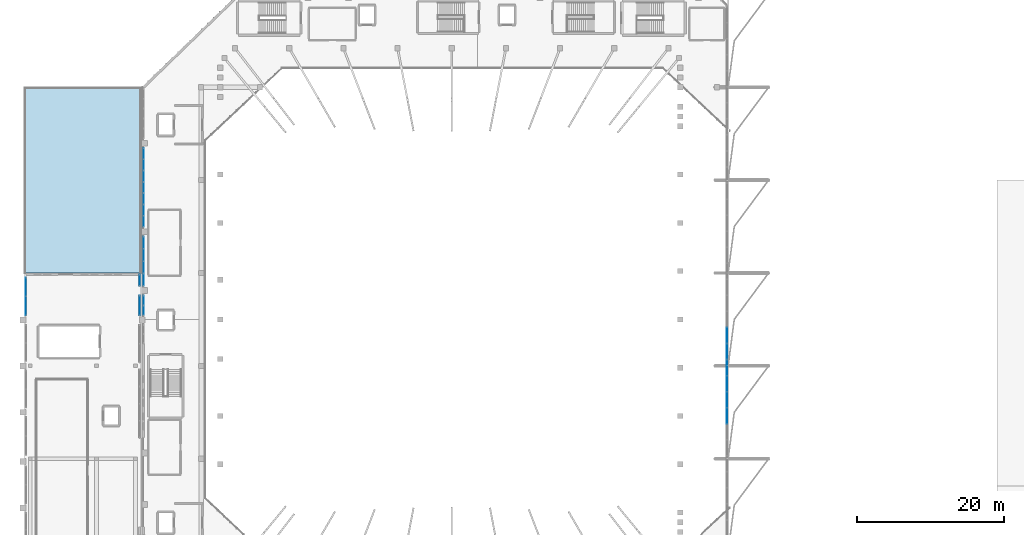
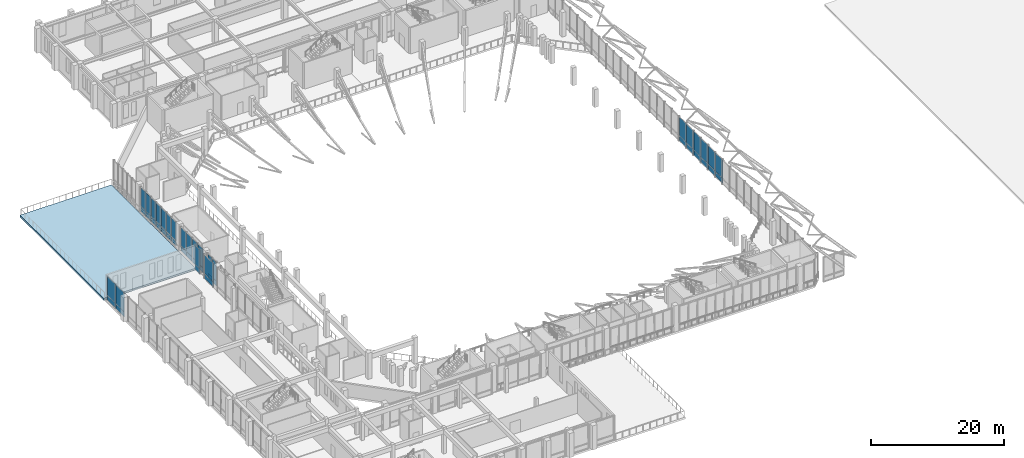
# One storey, part 46 of 79: 46 plates, 1 slab, 7 elements without a shape of their own.
"""IFC4 building model written with IfcOpenShell, lengths in metres."""

from ifc_helpers import new_model, si_unit, derived_unit, direction, frame, origin, origin_2d, place, context, subcontext, project, spatial, polyline, rectangle, outline, extrude, material, layer, layer_set, type_object, element, aggregate, save


model = new_model("IFC4")

# Units and contexts
model_context = context("Model", 3, precision=1e-05, world=origin(), true_north=direction((0.0, 1.0)))
body_context = subcontext(model_context, "Body", "Model", "MODEL_VIEW")
ifc_project = project(units=[si_unit("LENGTHUNIT", "METRE"), si_unit("AREAUNIT", "SQUARE_METRE"), si_unit("VOLUMEUNIT", "CUBIC_METRE"), si_unit("PLANEANGLEUNIT", "RADIAN"), si_unit("MASSUNIT", "GRAM", prefix="KILO"), derived_unit("THERMALTRANSMITTANCEUNIT", [(si_unit("MASSUNIT", "GRAM", prefix="KILO"), 1), (si_unit("TIMEUNIT", "SECOND"), -3), (si_unit("THERMODYNAMICTEMPERATUREUNIT", "KELVIN"), -1)])], contexts=[model_context])

# Site, building, storey
site_placement = place(None, origin())
site = spatial("IfcSite", under=ifc_project, at=site_placement, CompositionType="ELEMENT")
building_placement = place(site_placement, origin())
building = spatial("IfcBuilding", under=site, at=building_placement, Name="Valcora Ridge Arena", CompositionType="ELEMENT")
storey_placement = place(building_placement, frame((0.0, 0.0, 16.199951171875)))
storey = spatial("IfcBuildingStorey", under=building, at=storey_placement, Name="L03", CompositionType="ELEMENT", Elevation=16.199951171875)

# Curtain wall, plates
ifc_material_1 = material(Name="Anodised dark bronze architectural aluminium 6063-T6", Category="aluminium")
ifc_layer_1 = layer(ifc_material_1, 0.179931640625, Name="Anodised dark bronze architectural aluminium 6063-T6")
ifc_layer_set_1 = layer_set([ifc_layer_1], Name="Anodised dark bronze architectural aluminium 6063-T6")
curtain_wall_type_1 = type_object("IfcCurtainWallType", Name="TY-CURTAINWALL-CW-V1-GOTH-027X44", PredefinedType="NOTDEFINED", material=ifc_layer_set_1)
curtain_wall_1_placement = place(storey_placement, origin())
curtain_wall_1 = element("IfcCurtainWall", 1, at=curtain_wall_1_placement, inside=storey, type_object=curtain_wall_type_1, Name="CW-V1-GOTH-027X44 CW-0132", PredefinedType="NOTDEFINED")
ifc_material_2 = material(Name="Low-iron solar-control double glazing SHGC 0.28", Category="glass")
ifc_layer_2 = layer(ifc_material_2, 0.031982421875, Name="Low-iron solar-control double glazing SHGC 0.28")
ifc_layer_set_2 = layer_set([ifc_layer_2], Name="Low-iron solar-control double glazing SHGC 0.28")
plate_type_1 = type_object("IfcPlateType", Name="TY-PLT-CWP-1270X0860", PredefinedType="CURTAIN_PANEL", material=ifc_layer_set_2)
plate_1_placement = place(storey_placement, frame((16.199951171875, 65.3349609375, 0.06005859375), z_axis=(0.0, 0.0, 1.0), x_axis=(0.0, 1.0, 0.0)))
plate_1 = element("IfcPlate", 2, at=plate_1_placement, type_object=plate_type_1, Name="CW-0132/P00-00", PredefinedType="CURTAIN_PANEL", context=body_context, shape_type="SweptSolid", body=[
    extrude(rectangle(XDim=1.27001953125, YDim=0.031982421875, at=origin_2d()), origin(), (0.0, 0.0, 1.0), 0.860107421875),
])
plate_2_placement = place(storey_placement, frame((16.199951171875, 66.6650390625, 0.06005859375), z_axis=(0.0, 0.0, 1.0), x_axis=(0.0, 1.0, 0.0)))
plate_2 = element("IfcPlate", 3, at=plate_2_placement, type_object=plate_type_1, Name="CW-0132/P01-00", PredefinedType="CURTAIN_PANEL", context=body_context, shape_type="SweptSolid", body=[
    extrude(rectangle(XDim=1.27001953125, YDim=0.031982421875, at=origin_2d()), origin(), (0.0, 0.0, 1.0), 0.860107421875),
])
ifc_layer_3 = layer(ifc_material_2, 0.031982421875, Name="Low-iron solar-control double glazing SHGC 0.28")
ifc_layer_set_3 = layer_set([ifc_layer_3], Name="Low-iron solar-control double glazing SHGC 0.28")
plate_type_2 = type_object("IfcPlateType", Name="TY-PLT-CWP-1270X3400", PredefinedType="CURTAIN_PANEL", material=ifc_layer_set_3)
plate_3_placement = place(storey_placement, frame((16.199951171875, 65.3349609375, 0.97998046875), z_axis=(0.0, 0.0, 1.0), x_axis=(0.0, 1.0, 0.0)))
plate_3 = element("IfcPlate", 4, at=plate_3_placement, type_object=plate_type_2, Name="CW-0132/P00-01", PredefinedType="CURTAIN_PANEL", context=body_context, shape_type="SweptSolid", body=[
    extrude(rectangle(XDim=1.27001953125, YDim=0.031982421875, at=origin_2d()), origin(), (0.0, 0.0, 1.0), 3.39990234375),
])
plate_4_placement = place(storey_placement, frame((16.199951171875, 66.6650390625, 0.97998046875), z_axis=(0.0, 0.0, 1.0), x_axis=(0.0, 1.0, 0.0)))
plate_4 = element("IfcPlate", 5, at=plate_4_placement, type_object=plate_type_2, Name="CW-0132/P01-01", PredefinedType="CURTAIN_PANEL", context=body_context, shape_type="SweptSolid", body=[
    extrude(rectangle(XDim=1.27001953125, YDim=0.031982421875, at=origin_2d()), origin(), (0.0, 0.0, 1.0), 3.39990234375),
])
aggregate(curtain_wall_1, [plate_1, plate_3, plate_2, plate_4])

ifc_layer_4 = layer(ifc_material_1, 0.14990234375, Name="Anodised dark bronze architectural aluminium 6063-T6")
ifc_layer_set_4 = layer_set([ifc_layer_4], Name="Anodised dark bronze architectural aluminium 6063-T6")
curtain_wall_type_2 = type_object("IfcCurtainWallType", Name="TY-CURTAINWALL-CW-V4-CLUB-015X44", PredefinedType="NOTDEFINED", material=ifc_layer_set_4)
curtain_wall_2_placement = place(storey_placement, origin())
curtain_wall_2 = element("IfcCurtainWall", 6, at=curtain_wall_2_placement, inside=storey, type_object=curtain_wall_type_2, Name="CW-V4-CLUB-015X44 CW-0296", PredefinedType="NOTDEFINED")
ifc_layer_5 = layer(ifc_material_2, 0.028076171875, Name="Low-iron solar-control double glazing SHGC 0.28")
ifc_layer_set_5 = layer_set([ifc_layer_5], Name="Low-iron solar-control double glazing SHGC 0.28")
plate_type_3 = type_object("IfcPlateType", Name="TY-PLT-CWP-1440X0875", PredefinedType="CURTAIN_PANEL", material=ifc_layer_set_5)
plate_5_placement = place(storey_placement, frame((15.64990234375, 69.409912109375, 0.050048828125), z_axis=(0.0, 0.0, 1.0), x_axis=(0.0, 1.0, 0.0)))
plate_5 = element("IfcPlate", 7, at=plate_5_placement, type_object=plate_type_3, Name="CW-0296/P00-00", PredefinedType="CURTAIN_PANEL", context=body_context, shape_type="SweptSolid", body=[
    extrude(rectangle(XDim=1.43994140625, YDim=0.028076171875, at=origin_2d()), origin(), (0.0, 0.0, 1.0), 0.875),
])
ifc_layer_6 = layer(ifc_material_2, 0.028076171875, Name="Low-iron solar-control double glazing SHGC 0.28")
ifc_layer_set_6 = layer_set([ifc_layer_6], Name="Low-iron solar-control double glazing SHGC 0.28")
plate_type_4 = type_object("IfcPlateType", Name="TY-PLT-CWP-1440X3415", PredefinedType="CURTAIN_PANEL", material=ifc_layer_set_6)
plate_6_placement = place(storey_placement, frame((15.64990234375, 69.409912109375, 0.97509765625), z_axis=(0.0, 0.0, 1.0), x_axis=(0.0, 1.0, 0.0)))
plate_6 = element("IfcPlate", 8, at=plate_6_placement, type_object=plate_type_4, Name="CW-0296/P00-01", PredefinedType="CURTAIN_PANEL", context=body_context, shape_type="SweptSolid", body=[
    extrude(rectangle(XDim=1.43994140625, YDim=0.028076171875, at=origin_2d()), origin(), (0.0, 0.0, 1.0), 3.4150390625),
])
aggregate(curtain_wall_2, [plate_5, plate_6])

ifc_layer_7 = layer(ifc_material_1, 0.179931640625, Name="Anodised dark bronze architectural aluminium 6063-T6")
ifc_layer_set_7 = layer_set([ifc_layer_7], Name="Anodised dark bronze architectural aluminium 6063-T6")
curtain_wall_type_3 = type_object("IfcCurtainWallType", Name="TY-CURTAINWALL-CW-V1-GOTH-107X44", PredefinedType="NOTDEFINED", material=ifc_layer_set_7)
curtain_wall_3_placement = place(storey_placement, origin())
curtain_wall_3 = element("IfcCurtainWall", 9, at=curtain_wall_3_placement, inside=storey, type_object=curtain_wall_type_3, Name="CW-V1-GOTH-107X44 CW-0134", PredefinedType="NOTDEFINED")
ifc_layer_8 = layer(ifc_material_2, 0.031982421875, Name="Low-iron solar-control double glazing SHGC 0.28")
ifc_layer_set_8 = layer_set([ifc_layer_8], Name="Low-iron solar-control double glazing SHGC 0.28")
plate_type_5 = type_object("IfcPlateType", Name="TY-PLT-CWP-1441X0860", PredefinedType="CURTAIN_PANEL", material=ifc_layer_set_8)
plate_7_placement = place(storey_placement, frame((16.199951171875, 77.42041015625, 0.06005859375), z_axis=(0.0, 0.0, 1.0), x_axis=(0.0, 1.0, 0.0)))
plate_7 = element("IfcPlate", 10, at=plate_7_placement, type_object=plate_type_5, Name="CW-0134/P00-00", PredefinedType="CURTAIN_PANEL", context=body_context, shape_type="SweptSolid", body=[
    extrude(rectangle(XDim=1.44091796875, YDim=0.031982421875, at=origin_2d()), origin(), (0.0, 0.0, 1.0), 0.860107421875),
])
plate_8_placement = place(storey_placement, frame((16.199951171875, 86.57958984375, 0.06005859375), z_axis=(0.0, 0.0, 1.0), x_axis=(0.0, 1.0, 0.0)))
plate_8 = element("IfcPlate", 11, at=plate_8_placement, type_object=plate_type_5, Name="CW-0134/P06-00", PredefinedType="CURTAIN_PANEL", context=body_context, shape_type="SweptSolid", body=[
    extrude(rectangle(XDim=1.44091796875, YDim=0.031982421875, at=origin_2d()), origin(), (0.0, 0.0, 1.0), 0.860107421875),
])
ifc_layer_9 = layer(ifc_material_2, 0.031982421875, Name="Low-iron solar-control double glazing SHGC 0.28")
ifc_layer_set_9 = layer_set([ifc_layer_9], Name="Low-iron solar-control double glazing SHGC 0.28")
plate_type_6 = type_object("IfcPlateType", Name="TY-PLT-CWP-1441X3400", PredefinedType="CURTAIN_PANEL", material=ifc_layer_set_9)
plate_9_placement = place(storey_placement, frame((16.199951171875, 77.42041015625, 0.97998046875), z_axis=(0.0, 0.0, 1.0), x_axis=(0.0, 1.0, 0.0)))
plate_9 = element("IfcPlate", 12, at=plate_9_placement, type_object=plate_type_6, Name="CW-0134/P00-01", PredefinedType="CURTAIN_PANEL", context=body_context, shape_type="SweptSolid", body=[
    extrude(rectangle(XDim=1.44091796875, YDim=0.031982421875, at=origin_2d()), origin(), (0.0, 0.0, 1.0), 3.39990234375),
])
plate_10_placement = place(storey_placement, frame((16.199951171875, 86.57958984375, 0.97998046875), z_axis=(0.0, 0.0, 1.0), x_axis=(0.0, 1.0, 0.0)))
plate_10 = element("IfcPlate", 13, at=plate_10_placement, type_object=plate_type_6, Name="CW-0134/P06-01", PredefinedType="CURTAIN_PANEL", context=body_context, shape_type="SweptSolid", body=[
    extrude(rectangle(XDim=1.44091796875, YDim=0.031982421875, at=origin_2d()), origin(), (0.0, 0.0, 1.0), 3.39990234375),
])
ifc_layer_10 = layer(ifc_material_2, 0.031982421875, Name="Low-iron solar-control double glazing SHGC 0.28")
ifc_layer_set_10 = layer_set([ifc_layer_10], Name="Low-iron solar-control double glazing SHGC 0.28")
plate_type_7 = type_object("IfcPlateType", Name="TY-PLT-CWP-1471X0860", PredefinedType="CURTAIN_PANEL", material=ifc_layer_set_10)
plate_11_placement = place(storey_placement, frame((16.199951171875, 80.468505859375, 0.06005859375), z_axis=(0.0, 0.0, 1.0), x_axis=(0.0, 1.0, 0.0)))
plate_11 = element("IfcPlate", 14, at=plate_11_placement, type_object=plate_type_7, Name="CW-0134/P02-00", PredefinedType="CURTAIN_PANEL", context=body_context, shape_type="SweptSolid", body=[
    extrude(rectangle(XDim=1.470947265625, YDim=0.031982421875, at=origin_2d()), origin(), (0.0, 0.0, 1.0), 0.860107421875),
])
plate_12_placement = place(storey_placement, frame((16.199951171875, 83.531494140625, 0.06005859375), z_axis=(0.0, 0.0, 1.0), x_axis=(0.0, 1.0, 0.0)))
plate_12 = element("IfcPlate", 15, at=plate_12_placement, type_object=plate_type_7, Name="CW-0134/P04-00", PredefinedType="CURTAIN_PANEL", context=body_context, shape_type="SweptSolid", body=[
    extrude(rectangle(XDim=1.470947265625, YDim=0.031982421875, at=origin_2d()), origin(), (0.0, 0.0, 1.0), 0.860107421875),
])
ifc_layer_11 = layer(ifc_material_2, 0.031982421875, Name="Low-iron solar-control double glazing SHGC 0.28")
ifc_layer_set_11 = layer_set([ifc_layer_11], Name="Low-iron solar-control double glazing SHGC 0.28")
plate_type_8 = type_object("IfcPlateType", Name="TY-PLT-CWP-1471X3400", PredefinedType="CURTAIN_PANEL", material=ifc_layer_set_11)
plate_13_placement = place(storey_placement, frame((16.199951171875, 80.468505859375, 0.97998046875), z_axis=(0.0, 0.0, 1.0), x_axis=(0.0, 1.0, 0.0)))
plate_13 = element("IfcPlate", 16, at=plate_13_placement, type_object=plate_type_8, Name="CW-0134/P02-01", PredefinedType="CURTAIN_PANEL", context=body_context, shape_type="SweptSolid", body=[
    extrude(rectangle(XDim=1.470947265625, YDim=0.031982421875, at=origin_2d()), origin(), (0.0, 0.0, 1.0), 3.39990234375),
])
plate_14_placement = place(storey_placement, frame((16.199951171875, 83.531494140625, 0.97998046875), z_axis=(0.0, 0.0, 1.0), x_axis=(0.0, 1.0, 0.0)))
plate_14 = element("IfcPlate", 17, at=plate_14_placement, type_object=plate_type_8, Name="CW-0134/P04-01", PredefinedType="CURTAIN_PANEL", context=body_context, shape_type="SweptSolid", body=[
    extrude(rectangle(XDim=1.470947265625, YDim=0.031982421875, at=origin_2d()), origin(), (0.0, 0.0, 1.0), 3.39990234375),
])
ifc_layer_12 = layer(ifc_material_2, 0.031982421875, Name="Low-iron solar-control double glazing SHGC 0.28")
ifc_layer_set_12 = layer_set([ifc_layer_12], Name="Low-iron solar-control double glazing SHGC 0.28")
plate_type_9 = type_object("IfcPlateType", Name="TY-PLT-CWP-1472X0860", PredefinedType="CURTAIN_PANEL", material=ifc_layer_set_12)
plate_15_placement = place(storey_placement, frame((16.199951171875, 78.93701171875, 0.06005859375), z_axis=(0.0, 0.0, 1.0), x_axis=(0.0, 1.0, 0.0)))
plate_15 = element("IfcPlate", 18, at=plate_15_placement, type_object=plate_type_9, Name="CW-0134/P01-00", PredefinedType="CURTAIN_PANEL", context=body_context, shape_type="SweptSolid", body=[
    extrude(rectangle(XDim=1.471923828125, YDim=0.031982421875, at=origin_2d()), origin(), (0.0, 0.0, 1.0), 0.860107421875),
])
plate_16_placement = place(storey_placement, frame((16.199951171875, 82.0, 0.06005859375), z_axis=(0.0, 0.0, 1.0), x_axis=(0.0, 1.0, 0.0)))
plate_16 = element("IfcPlate", 19, at=plate_16_placement, type_object=plate_type_9, Name="CW-0134/P03-00", PredefinedType="CURTAIN_PANEL", context=body_context, shape_type="SweptSolid", body=[
    extrude(rectangle(XDim=1.471923828125, YDim=0.031982421875, at=origin_2d()), origin(), (0.0, 0.0, 1.0), 0.860107421875),
])
plate_17_placement = place(storey_placement, frame((16.199951171875, 85.06298828125, 0.06005859375), z_axis=(0.0, 0.0, 1.0), x_axis=(0.0, 1.0, 0.0)))
plate_17 = element("IfcPlate", 20, at=plate_17_placement, type_object=plate_type_9, Name="CW-0134/P05-00", PredefinedType="CURTAIN_PANEL", context=body_context, shape_type="SweptSolid", body=[
    extrude(rectangle(XDim=1.471923828125, YDim=0.031982421875, at=origin_2d()), origin(), (0.0, 0.0, 1.0), 0.860107421875),
])
ifc_layer_13 = layer(ifc_material_2, 0.031982421875, Name="Low-iron solar-control double glazing SHGC 0.28")
ifc_layer_set_13 = layer_set([ifc_layer_13], Name="Low-iron solar-control double glazing SHGC 0.28")
plate_type_10 = type_object("IfcPlateType", Name="TY-PLT-CWP-1472X3400", PredefinedType="CURTAIN_PANEL", material=ifc_layer_set_13)
plate_18_placement = place(storey_placement, frame((16.199951171875, 78.93701171875, 0.97998046875), z_axis=(0.0, 0.0, 1.0), x_axis=(0.0, 1.0, 0.0)))
plate_18 = element("IfcPlate", 21, at=plate_18_placement, type_object=plate_type_10, Name="CW-0134/P01-01", PredefinedType="CURTAIN_PANEL", context=body_context, shape_type="SweptSolid", body=[
    extrude(rectangle(XDim=1.471923828125, YDim=0.031982421875, at=origin_2d()), origin(), (0.0, 0.0, 1.0), 3.39990234375),
])
plate_19_placement = place(storey_placement, frame((16.199951171875, 82.0, 0.97998046875), z_axis=(0.0, 0.0, 1.0), x_axis=(0.0, 1.0, 0.0)))
plate_19 = element("IfcPlate", 22, at=plate_19_placement, type_object=plate_type_10, Name="CW-0134/P03-01", PredefinedType="CURTAIN_PANEL", context=body_context, shape_type="SweptSolid", body=[
    extrude(rectangle(XDim=1.471923828125, YDim=0.031982421875, at=origin_2d()), origin(), (0.0, 0.0, 1.0), 3.39990234375),
])
plate_20_placement = place(storey_placement, frame((16.199951171875, 85.06298828125, 0.97998046875), z_axis=(0.0, 0.0, 1.0), x_axis=(0.0, 1.0, 0.0)))
plate_20 = element("IfcPlate", 23, at=plate_20_placement, type_object=plate_type_10, Name="CW-0134/P05-01", PredefinedType="CURTAIN_PANEL", context=body_context, shape_type="SweptSolid", body=[
    extrude(rectangle(XDim=1.471923828125, YDim=0.031982421875, at=origin_2d()), origin(), (0.0, 0.0, 1.0), 3.39990234375),
])
aggregate(curtain_wall_3, [plate_7, plate_9, plate_15, plate_18, plate_11, plate_13, plate_16, plate_19, plate_12, plate_14, plate_17, plate_20, plate_8, plate_10])

ifc_layer_14 = layer(ifc_material_1, 0.179931640625, Name="Anodised dark bronze architectural aluminium 6063-T6")
ifc_layer_set_14 = layer_set([ifc_layer_14], Name="Anodised dark bronze architectural aluminium 6063-T6")
curtain_wall_type_4 = type_object("IfcCurtainWallType", Name="TY-CURTAINWALL-CW-V1-GOTH-067X44", PredefinedType="NOTDEFINED", material=ifc_layer_set_14)
curtain_wall_4_placement = place(storey_placement, origin())
curtain_wall_4 = element("IfcCurtainWall", 24, at=curtain_wall_4_placement, inside=storey, type_object=curtain_wall_type_4, Name="CW-V1-GOTH-067X44 CW-0133", PredefinedType="NOTDEFINED")
ifc_layer_15 = layer(ifc_material_2, 0.031982421875, Name="Low-iron solar-control double glazing SHGC 0.28")
ifc_layer_set_15 = layer_set([ifc_layer_15], Name="Low-iron solar-control double glazing SHGC 0.28")
plate_type_11 = type_object("IfcPlateType", Name="TY-PLT-CWP-1590X0860", PredefinedType="CURTAIN_PANEL", material=ifc_layer_set_15)
plate_21_placement = place(storey_placement, frame((16.199951171875, 69.4951171875, 0.06005859375), z_axis=(0.0, 0.0, 1.0), x_axis=(0.0, 1.0, 0.0)))
plate_21 = element("IfcPlate", 25, at=plate_21_placement, type_object=plate_type_11, Name="CW-0133/P00-00", PredefinedType="CURTAIN_PANEL", context=body_context, shape_type="SweptSolid", body=[
    extrude(rectangle(XDim=1.590087890625, YDim=0.031982421875, at=origin_2d()), origin(), (0.0, 0.0, 1.0), 0.860107421875),
])
plate_22_placement = place(storey_placement, frame((16.199951171875, 74.5048828125, 0.06005859375), z_axis=(0.0, 0.0, 1.0), x_axis=(0.0, 1.0, 0.0)))
plate_22 = element("IfcPlate", 26, at=plate_22_placement, type_object=plate_type_11, Name="CW-0133/P03-00", PredefinedType="CURTAIN_PANEL", context=body_context, shape_type="SweptSolid", body=[
    extrude(rectangle(XDim=1.590087890625, YDim=0.031982421875, at=origin_2d()), origin(), (0.0, 0.0, 1.0), 0.860107421875),
])
ifc_layer_16 = layer(ifc_material_2, 0.031982421875, Name="Low-iron solar-control double glazing SHGC 0.28")
ifc_layer_set_16 = layer_set([ifc_layer_16], Name="Low-iron solar-control double glazing SHGC 0.28")
plate_type_12 = type_object("IfcPlateType", Name="TY-PLT-CWP-1590X3400", PredefinedType="CURTAIN_PANEL", material=ifc_layer_set_16)
plate_23_placement = place(storey_placement, frame((16.199951171875, 69.4951171875, 0.97998046875), z_axis=(0.0, 0.0, 1.0), x_axis=(0.0, 1.0, 0.0)))
plate_23 = element("IfcPlate", 27, at=plate_23_placement, type_object=plate_type_12, Name="CW-0133/P00-01", PredefinedType="CURTAIN_PANEL", context=body_context, shape_type="SweptSolid", body=[
    extrude(rectangle(XDim=1.590087890625, YDim=0.031982421875, at=origin_2d()), origin(), (0.0, 0.0, 1.0), 3.39990234375),
])
plate_24_placement = place(storey_placement, frame((16.199951171875, 74.5048828125, 0.97998046875), z_axis=(0.0, 0.0, 1.0), x_axis=(0.0, 1.0, 0.0)))
plate_24 = element("IfcPlate", 28, at=plate_24_placement, type_object=plate_type_12, Name="CW-0133/P03-01", PredefinedType="CURTAIN_PANEL", context=body_context, shape_type="SweptSolid", body=[
    extrude(rectangle(XDim=1.590087890625, YDim=0.031982421875, at=origin_2d()), origin(), (0.0, 0.0, 1.0), 3.39990234375),
])
ifc_layer_17 = layer(ifc_material_2, 0.031982421875, Name="Low-iron solar-control double glazing SHGC 0.28")
ifc_layer_set_17 = layer_set([ifc_layer_17], Name="Low-iron solar-control double glazing SHGC 0.28")
plate_type_13 = type_object("IfcPlateType", Name="TY-PLT-CWP-1620X0860", PredefinedType="CURTAIN_PANEL", material=ifc_layer_set_17)
plate_25_placement = place(storey_placement, frame((16.199951171875, 71.159912109375, 0.06005859375), z_axis=(0.0, 0.0, 1.0), x_axis=(0.0, 1.0, 0.0)))
plate_25 = element("IfcPlate", 29, at=plate_25_placement, type_object=plate_type_13, Name="CW-0133/P01-00", PredefinedType="CURTAIN_PANEL", context=body_context, shape_type="SweptSolid", body=[
    extrude(rectangle(XDim=1.6201171875, YDim=0.031982421875, at=origin_2d()), origin(), (0.0, 0.0, 1.0), 0.860107421875),
])
plate_26_placement = place(storey_placement, frame((16.199951171875, 72.840087890625, 0.06005859375), z_axis=(0.0, 0.0, 1.0), x_axis=(0.0, 1.0, 0.0)))
plate_26 = element("IfcPlate", 30, at=plate_26_placement, type_object=plate_type_13, Name="CW-0133/P02-00", PredefinedType="CURTAIN_PANEL", context=body_context, shape_type="SweptSolid", body=[
    extrude(rectangle(XDim=1.6201171875, YDim=0.031982421875, at=origin_2d()), origin(), (0.0, 0.0, 1.0), 0.860107421875),
])
ifc_layer_18 = layer(ifc_material_2, 0.031982421875, Name="Low-iron solar-control double glazing SHGC 0.28")
ifc_layer_set_18 = layer_set([ifc_layer_18], Name="Low-iron solar-control double glazing SHGC 0.28")
plate_type_14 = type_object("IfcPlateType", Name="TY-PLT-CWP-1620X3400", PredefinedType="CURTAIN_PANEL", material=ifc_layer_set_18)
plate_27_placement = place(storey_placement, frame((16.199951171875, 71.159912109375, 0.97998046875), z_axis=(0.0, 0.0, 1.0), x_axis=(0.0, 1.0, 0.0)))
plate_27 = element("IfcPlate", 31, at=plate_27_placement, type_object=plate_type_14, Name="CW-0133/P01-01", PredefinedType="CURTAIN_PANEL", context=body_context, shape_type="SweptSolid", body=[
    extrude(rectangle(XDim=1.6201171875, YDim=0.031982421875, at=origin_2d()), origin(), (0.0, 0.0, 1.0), 3.39990234375),
])
plate_28_placement = place(storey_placement, frame((16.199951171875, 72.840087890625, 0.97998046875), z_axis=(0.0, 0.0, 1.0), x_axis=(0.0, 1.0, 0.0)))
plate_28 = element("IfcPlate", 32, at=plate_28_placement, type_object=plate_type_14, Name="CW-0133/P02-01", PredefinedType="CURTAIN_PANEL", context=body_context, shape_type="SweptSolid", body=[
    extrude(rectangle(XDim=1.6201171875, YDim=0.031982421875, at=origin_2d()), origin(), (0.0, 0.0, 1.0), 3.39990234375),
])
aggregate(curtain_wall_4, [plate_21, plate_23, plate_25, plate_27, plate_26, plate_28, plate_22, plate_24])

ifc_layer_19 = layer(ifc_material_1, 0.14990234375, Name="Anodised dark bronze architectural aluminium 6063-T6")
ifc_layer_set_19 = layer_set([ifc_layer_19], Name="Anodised dark bronze architectural aluminium 6063-T6")
curtain_wall_type_5 = type_object("IfcCurtainWallType", Name="TY-CURTAINWALL-CW-V1-EAST-849X44", PredefinedType="NOTDEFINED", material=ifc_layer_set_19)
curtain_wall_5_placement = place(storey_placement, origin())
curtain_wall_5 = element("IfcCurtainWall", 33, at=curtain_wall_5_placement, inside=storey, type_object=curtain_wall_type_5, Name="CW-V1-EAST-849X44 CW-0147", PredefinedType="NOTDEFINED")
ifc_layer_20 = layer(ifc_material_2, 0.028076171875, Name="Low-iron solar-control double glazing SHGC 0.28")
ifc_layer_set_20 = layer_set([ifc_layer_20], Name="Low-iron solar-control double glazing SHGC 0.28")
plate_type_15 = type_object("IfcPlateType", Name="TY-PLT-CWP-2126X0875", PredefinedType="CURTAIN_PANEL", material=ifc_layer_set_20)
plate_29_placement = place(storey_placement, frame((95.35009765625, 57.56982421875, 0.050048828125), z_axis=(0.0, 0.0, 1.0), x_axis=(0.0, 1.0, 0.0)))
plate_29 = element("IfcPlate", 34, at=plate_29_placement, type_object=plate_type_15, Name="CW-0147/P16-00", PredefinedType="CURTAIN_PANEL", context=body_context, shape_type="SweptSolid", body=[
    extrude(rectangle(XDim=2.1259765625, YDim=0.028076171875, at=origin_2d()), origin(), (0.0, 0.0, 1.0), 0.875),
])
ifc_layer_21 = layer(ifc_material_2, 0.028076171875, Name="Low-iron solar-control double glazing SHGC 0.28")
ifc_layer_set_21 = layer_set([ifc_layer_21], Name="Low-iron solar-control double glazing SHGC 0.28")
plate_type_16 = type_object("IfcPlateType", Name="TY-PLT-CWP-2126X3415", PredefinedType="CURTAIN_PANEL", material=ifc_layer_set_21)
plate_30_placement = place(storey_placement, frame((95.35009765625, 57.56982421875, 0.97509765625), z_axis=(0.0, 0.0, 1.0), x_axis=(0.0, 1.0, 0.0)))
plate_30 = element("IfcPlate", 35, at=plate_30_placement, type_object=plate_type_16, Name="CW-0147/P16-01", PredefinedType="CURTAIN_PANEL", context=body_context, shape_type="SweptSolid", body=[
    extrude(rectangle(XDim=2.1259765625, YDim=0.028076171875, at=origin_2d()), origin(), (0.0, 0.0, 1.0), 3.4150390625),
])
ifc_layer_22 = layer(ifc_material_2, 0.028076171875, Name="Low-iron solar-control double glazing SHGC 0.28")
ifc_layer_set_22 = layer_set([ifc_layer_22], Name="Low-iron solar-control double glazing SHGC 0.28")
plate_type_17 = type_object("IfcPlateType", Name="TY-PLT-CWP-2127X0875", PredefinedType="CURTAIN_PANEL", material=ifc_layer_set_22)
plate_31_placement = place(storey_placement, frame((95.35009765625, 51.039306640625, 0.050048828125), z_axis=(0.0, 0.0, 1.0), x_axis=(0.0, 1.0, 0.0)))
plate_31 = element("IfcPlate", 36, at=plate_31_placement, type_object=plate_type_17, Name="CW-0147/P13-00", PredefinedType="CURTAIN_PANEL", context=body_context, shape_type="SweptSolid", body=[
    extrude(rectangle(XDim=2.126953125, YDim=0.028076171875, at=origin_2d()), origin(), (0.0, 0.0, 1.0), 0.875),
])
plate_32_placement = place(storey_placement, frame((95.35009765625, 53.21630859375, 0.050048828125), z_axis=(0.0, 0.0, 1.0), x_axis=(0.0, 1.0, 0.0)))
plate_32 = element("IfcPlate", 37, at=plate_32_placement, type_object=plate_type_17, Name="CW-0147/P14-00", PredefinedType="CURTAIN_PANEL", context=body_context, shape_type="SweptSolid", body=[
    extrude(rectangle(XDim=2.126953125, YDim=0.028076171875, at=origin_2d()), origin(), (0.0, 0.0, 1.0), 0.875),
])
plate_33_placement = place(storey_placement, frame((95.35009765625, 55.393310546875, 0.050048828125), z_axis=(0.0, 0.0, 1.0), x_axis=(0.0, 1.0, 0.0)))
plate_33 = element("IfcPlate", 38, at=plate_33_placement, type_object=plate_type_17, Name="CW-0147/P15-00", PredefinedType="CURTAIN_PANEL", context=body_context, shape_type="SweptSolid", body=[
    extrude(rectangle(XDim=2.126953125, YDim=0.028076171875, at=origin_2d()), origin(), (0.0, 0.0, 1.0), 0.875),
])
plate_34_placement = place(storey_placement, frame((95.35009765625, 59.746337890625, 0.050048828125), z_axis=(0.0, 0.0, 1.0), x_axis=(0.0, 1.0, 0.0)))
plate_34 = element("IfcPlate", 39, at=plate_34_placement, type_object=plate_type_17, Name="CW-0147/P17-00", PredefinedType="CURTAIN_PANEL", context=body_context, shape_type="SweptSolid", body=[
    extrude(rectangle(XDim=2.126953125, YDim=0.028076171875, at=origin_2d()), origin(), (0.0, 0.0, 1.0), 0.875),
])
plate_35_placement = place(storey_placement, frame((95.35009765625, 61.92333984375, 0.050048828125), z_axis=(0.0, 0.0, 1.0), x_axis=(0.0, 1.0, 0.0)))
plate_35 = element("IfcPlate", 40, at=plate_35_placement, type_object=plate_type_17, Name="CW-0147/P18-00", PredefinedType="CURTAIN_PANEL", context=body_context, shape_type="SweptSolid", body=[
    extrude(rectangle(XDim=2.126953125, YDim=0.028076171875, at=origin_2d()), origin(), (0.0, 0.0, 1.0), 0.875),
])
ifc_layer_23 = layer(ifc_material_2, 0.028076171875, Name="Low-iron solar-control double glazing SHGC 0.28")
ifc_layer_set_23 = layer_set([ifc_layer_23], Name="Low-iron solar-control double glazing SHGC 0.28")
plate_type_18 = type_object("IfcPlateType", Name="TY-PLT-CWP-2127X3415", PredefinedType="CURTAIN_PANEL", material=ifc_layer_set_23)
plate_36_placement = place(storey_placement, frame((95.35009765625, 51.039306640625, 0.97509765625), z_axis=(0.0, 0.0, 1.0), x_axis=(0.0, 1.0, 0.0)))
plate_36 = element("IfcPlate", 41, at=plate_36_placement, type_object=plate_type_18, Name="CW-0147/P13-01", PredefinedType="CURTAIN_PANEL", context=body_context, shape_type="SweptSolid", body=[
    extrude(rectangle(XDim=2.126953125, YDim=0.028076171875, at=origin_2d()), origin(), (0.0, 0.0, 1.0), 3.4150390625),
])
plate_37_placement = place(storey_placement, frame((95.35009765625, 53.21630859375, 0.97509765625), z_axis=(0.0, 0.0, 1.0), x_axis=(0.0, 1.0, 0.0)))
plate_37 = element("IfcPlate", 42, at=plate_37_placement, type_object=plate_type_18, Name="CW-0147/P14-01", PredefinedType="CURTAIN_PANEL", context=body_context, shape_type="SweptSolid", body=[
    extrude(rectangle(XDim=2.126953125, YDim=0.028076171875, at=origin_2d()), origin(), (0.0, 0.0, 1.0), 3.4150390625),
])
plate_38_placement = place(storey_placement, frame((95.35009765625, 55.393310546875, 0.97509765625), z_axis=(0.0, 0.0, 1.0), x_axis=(0.0, 1.0, 0.0)))
plate_38 = element("IfcPlate", 43, at=plate_38_placement, type_object=plate_type_18, Name="CW-0147/P15-01", PredefinedType="CURTAIN_PANEL", context=body_context, shape_type="SweptSolid", body=[
    extrude(rectangle(XDim=2.126953125, YDim=0.028076171875, at=origin_2d()), origin(), (0.0, 0.0, 1.0), 3.4150390625),
])
plate_39_placement = place(storey_placement, frame((95.35009765625, 59.746337890625, 0.97509765625), z_axis=(0.0, 0.0, 1.0), x_axis=(0.0, 1.0, 0.0)))
plate_39 = element("IfcPlate", 44, at=plate_39_placement, type_object=plate_type_18, Name="CW-0147/P17-01", PredefinedType="CURTAIN_PANEL", context=body_context, shape_type="SweptSolid", body=[
    extrude(rectangle(XDim=2.126953125, YDim=0.028076171875, at=origin_2d()), origin(), (0.0, 0.0, 1.0), 3.4150390625),
])
plate_40_placement = place(storey_placement, frame((95.35009765625, 61.92333984375, 0.97509765625), z_axis=(0.0, 0.0, 1.0), x_axis=(0.0, 1.0, 0.0)))
plate_40 = element("IfcPlate", 45, at=plate_40_placement, type_object=plate_type_18, Name="CW-0147/P18-01", PredefinedType="CURTAIN_PANEL", context=body_context, shape_type="SweptSolid", body=[
    extrude(rectangle(XDim=2.126953125, YDim=0.028076171875, at=origin_2d()), origin(), (0.0, 0.0, 1.0), 3.4150390625),
])
aggregate(curtain_wall_5, [plate_31, plate_36, plate_32, plate_37, plate_33, plate_38, plate_29, plate_30, plate_34, plate_39, plate_35, plate_40])

ifc_layer_24 = layer(ifc_material_1, 0.14990234375, Name="Anodised dark bronze architectural aluminium 6063-T6")
ifc_layer_set_24 = layer_set([ifc_layer_24], Name="Anodised dark bronze architectural aluminium 6063-T6")
curtain_wall_type_6 = type_object("IfcCurtainWallType", Name="TY-CURTAINWALL-CW-V4-CLUB-052X44", PredefinedType="NOTDEFINED", material=ifc_layer_set_24)
curtain_wall_6_placement = place(storey_placement, origin())
curtain_wall_6 = element("IfcCurtainWall", 46, at=curtain_wall_6_placement, inside=storey, type_object=curtain_wall_type_6, Name="CW-V4-CLUB-052X44 CW-0292", PredefinedType="NOTDEFINED")
ifc_layer_25 = layer(ifc_material_2, 0.028076171875, Name="Low-iron solar-control double glazing SHGC 0.28")
ifc_layer_set_25 = layer_set([ifc_layer_25], Name="Low-iron solar-control double glazing SHGC 0.28")
plate_type_19 = type_object("IfcPlateType", Name="TY-PLT-CWP-2505X0875", PredefinedType="CURTAIN_PANEL", material=ifc_layer_set_25)
plate_41_placement = place(storey_placement, frame((0.219970703125, 65.9423828125, 0.050048828125), z_axis=(0.0, 0.0, 1.0), x_axis=(0.0, 1.0, 0.0)))
plate_41 = element("IfcPlate", 47, at=plate_41_placement, type_object=plate_type_19, Name="CW-0292/P00-00", PredefinedType="CURTAIN_PANEL", context=body_context, shape_type="SweptSolid", body=[
    extrude(rectangle(XDim=2.5048828125, YDim=0.028076171875, at=origin_2d()), origin(), (0.0, 0.0, 1.0), 0.875),
])
plate_42_placement = place(storey_placement, frame((0.219970703125, 68.49755859375, 0.050048828125), z_axis=(0.0, 0.0, 1.0), x_axis=(0.0, 1.0, 0.0)))
plate_42 = element("IfcPlate", 48, at=plate_42_placement, type_object=plate_type_19, Name="CW-0292/P01-00", PredefinedType="CURTAIN_PANEL", context=body_context, shape_type="SweptSolid", body=[
    extrude(rectangle(XDim=2.5048828125, YDim=0.028076171875, at=origin_2d()), origin(), (0.0, 0.0, 1.0), 0.875),
])
ifc_layer_26 = layer(ifc_material_2, 0.028076171875, Name="Low-iron solar-control double glazing SHGC 0.28")
ifc_layer_set_26 = layer_set([ifc_layer_26], Name="Low-iron solar-control double glazing SHGC 0.28")
plate_type_20 = type_object("IfcPlateType", Name="TY-PLT-CWP-2505X3415", PredefinedType="CURTAIN_PANEL", material=ifc_layer_set_26)
plate_43_placement = place(storey_placement, frame((0.219970703125, 65.9423828125, 0.97509765625), z_axis=(0.0, 0.0, 1.0), x_axis=(0.0, 1.0, 0.0)))
plate_43 = element("IfcPlate", 49, at=plate_43_placement, type_object=plate_type_20, Name="CW-0292/P00-01", PredefinedType="CURTAIN_PANEL", context=body_context, shape_type="SweptSolid", body=[
    extrude(rectangle(XDim=2.5048828125, YDim=0.028076171875, at=origin_2d()), origin(), (0.0, 0.0, 1.0), 3.4150390625),
])
plate_44_placement = place(storey_placement, frame((0.219970703125, 68.49755859375, 0.97509765625), z_axis=(0.0, 0.0, 1.0), x_axis=(0.0, 1.0, 0.0)))
plate_44 = element("IfcPlate", 50, at=plate_44_placement, type_object=plate_type_20, Name="CW-0292/P01-01", PredefinedType="CURTAIN_PANEL", context=body_context, shape_type="SweptSolid", body=[
    extrude(rectangle(XDim=2.5048828125, YDim=0.028076171875, at=origin_2d()), origin(), (0.0, 0.0, 1.0), 3.4150390625),
])
aggregate(curtain_wall_6, [plate_41, plate_43, plate_42, plate_44])

ifc_layer_27 = layer(ifc_material_1, 0.14990234375, Name="Anodised dark bronze architectural aluminium 6063-T6")
ifc_layer_set_27 = layer_set([ifc_layer_27], Name="Anodised dark bronze architectural aluminium 6063-T6")
curtain_wall_type_7 = type_object("IfcCurtainWallType", Name="TY-CURTAINWALL-CW-V4-CLUB-027X44", PredefinedType="NOTDEFINED", material=ifc_layer_set_27)
curtain_wall_7_placement = place(storey_placement, origin())
curtain_wall_7 = element("IfcCurtainWall", 51, at=curtain_wall_7_placement, inside=storey, type_object=curtain_wall_type_7, Name="CW-V4-CLUB-027X44 CW-0295", PredefinedType="NOTDEFINED")
ifc_layer_28 = layer(ifc_material_2, 0.028076171875, Name="Low-iron solar-control double glazing SHGC 0.28")
ifc_layer_set_28 = layer_set([ifc_layer_28], Name="Low-iron solar-control double glazing SHGC 0.28")
plate_type_21 = type_object("IfcPlateType", Name="TY-PLT-CWP-2620X0875", PredefinedType="CURTAIN_PANEL", material=ifc_layer_set_28)
plate_45_placement = place(storey_placement, frame((15.64990234375, 66.0, 0.050048828125), z_axis=(0.0, 0.0, 1.0), x_axis=(0.0, 1.0, 0.0)))
plate_45 = element("IfcPlate", 52, at=plate_45_placement, type_object=plate_type_21, Name="CW-0295/P00-00", PredefinedType="CURTAIN_PANEL", context=body_context, shape_type="SweptSolid", body=[
    extrude(rectangle(XDim=2.6201171875, YDim=0.028076171875, at=origin_2d()), origin(), (0.0, 0.0, 1.0), 0.875),
])
ifc_layer_29 = layer(ifc_material_2, 0.028076171875, Name="Low-iron solar-control double glazing SHGC 0.28")
ifc_layer_set_29 = layer_set([ifc_layer_29], Name="Low-iron solar-control double glazing SHGC 0.28")
plate_type_22 = type_object("IfcPlateType", Name="TY-PLT-CWP-2620X3415", PredefinedType="CURTAIN_PANEL", material=ifc_layer_set_29)
plate_46_placement = place(storey_placement, frame((15.64990234375, 66.0, 0.97509765625), z_axis=(0.0, 0.0, 1.0), x_axis=(0.0, 1.0, 0.0)))
plate_46 = element("IfcPlate", 53, at=plate_46_placement, type_object=plate_type_22, Name="CW-0295/P00-01", PredefinedType="CURTAIN_PANEL", context=body_context, shape_type="SweptSolid", body=[
    extrude(rectangle(XDim=2.6201171875, YDim=0.028076171875, at=origin_2d()), origin(), (0.0, 0.0, 1.0), 3.4150390625),
])
aggregate(curtain_wall_7, [plate_45, plate_46])

# Slab
ifc_material_3 = material(Name="Concrete C40/50", Category="concrete")
ifc_layer_30 = layer(ifc_material_3, 0.360107421875, Name="Concrete C40/50")
ifc_layer_set_30 = layer_set([ifc_layer_30], Name="Concrete C40/50")
slab_type = type_object("IfcSlabType", Name="TY-SLAB-SL-TERR-L03-P2", PredefinedType="FLOOR", material=ifc_layer_set_30)
slab_placement = place(storey_placement, frame((0.0, 0.0, -0.35986328125)))
element("IfcSlab", 54, at=slab_placement, inside=storey, type_object=slab_type, Name="SL-TERR-L03-P2 SLB-0065", PredefinedType="FLOOR", context=body_context, shape_type="SweptSolid", body=[
    extrude(outline(polyline([(0.0, 95.60009765625), (0.0, 70.39990234375), (15.85009765625, 70.39990234375), (15.85009765625, 95.60009765625), (0.0, 95.60009765625)])), origin(), (0.0, 0.0, 1.0), 0.35986328125),
])

save(model, "model.ifc")
